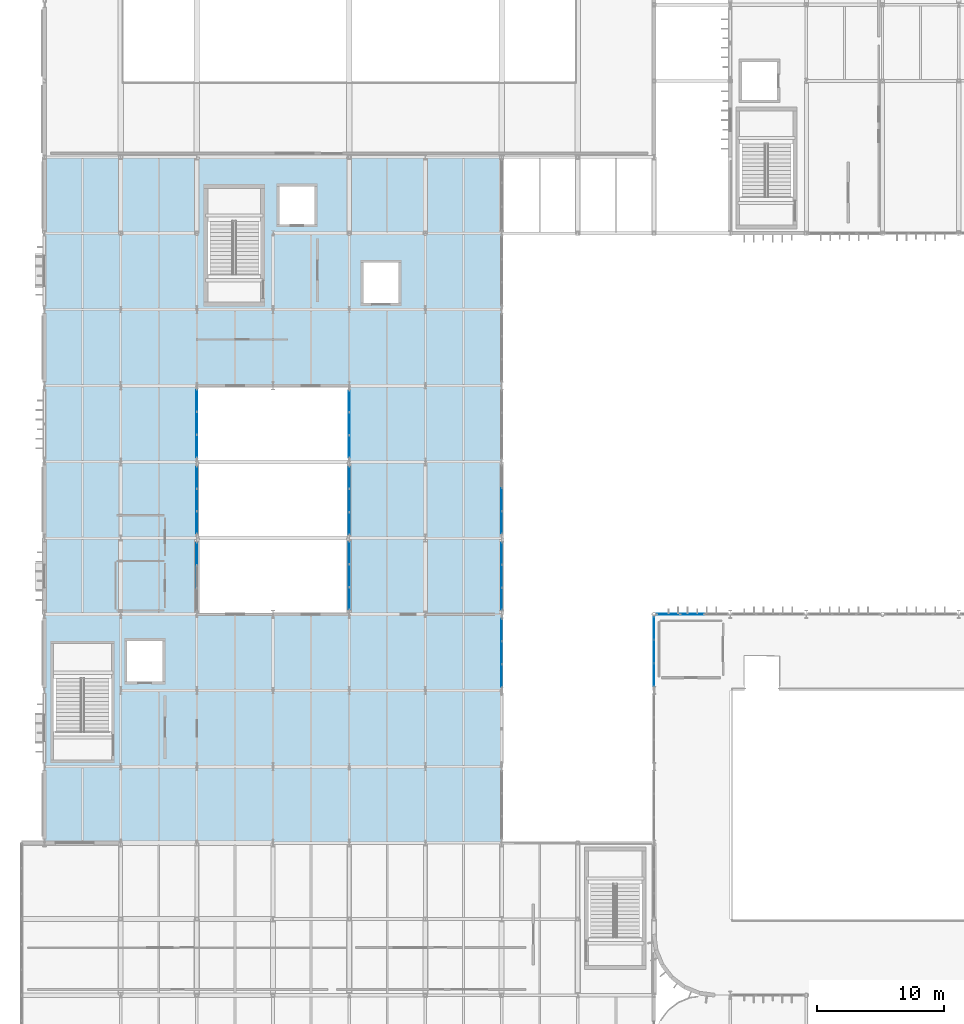
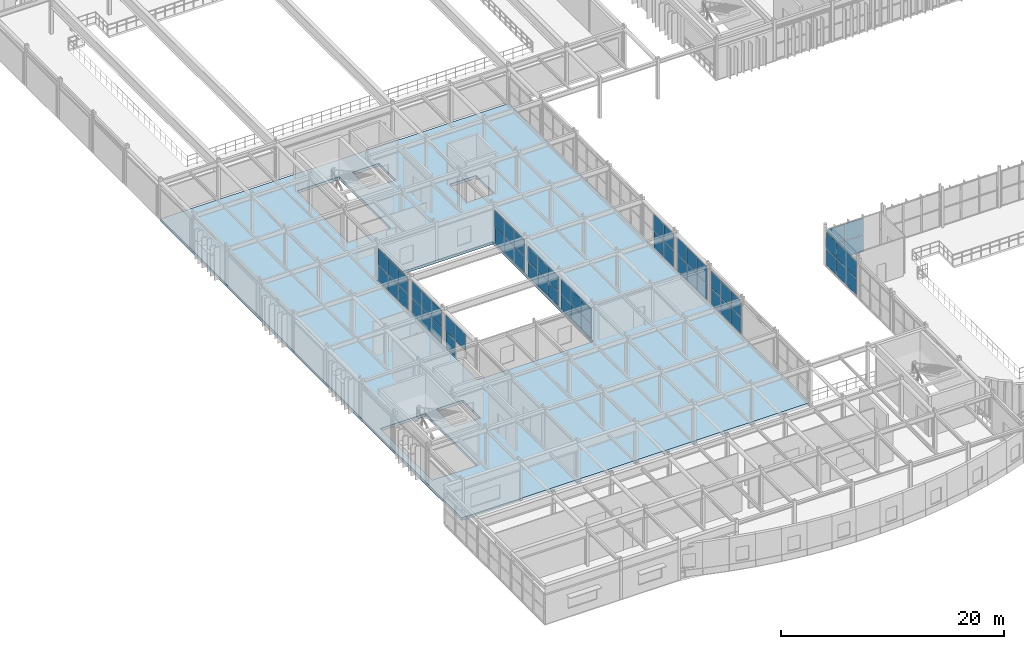
# One storey, part 56 of 96: 59 plates, 1 slab, 11 elements without a shape of their own.
"""IFC4 building model written with IfcOpenShell, lengths in metres."""

import ifcopenshell
import ifcopenshell.guid

model = None  # the IFC model being written
_history = None  # IfcOwnerHistory: only IFC2X3 demands one
_inside = {}  # id of a spatial element -> (the spatial element, [elements in it])
_under = {}  # id of a project, library or spatial element -> (it, [spatial elements below it])
_declared = {}  # id of a project -> (the project, [libraries it declares])
_typed = {}  # id of a type object -> (the type object, [elements of that type])
_made_of = {}  # id of a material, layer set ... -> (it, [elements and type objects made of it])


def new_model(schema):
    """Start an empty IFC model of exactly this schema.

    Asked for "IFC4X3", IfcOpenShell would pick the latest addendum, in which some entities
    have other attributes; the version numbers below select the first issue.
    IFC2X3 requires an IfcOwnerHistory on every rooted entity: one is made here for all.
    """
    global model, _history
    if schema == "IFC4X3":
        model = ifcopenshell.file(schema_version=(4, 3, 0, 0))
    else:
        model = ifcopenshell.file(schema=schema)
    _inside.clear()
    _under.clear()
    _declared.clear()
    _typed.clear()
    _made_of.clear()
    _history = None
    if model.schema == "IFC2X3":
        org = make("IfcOrganization", Name="unknown")
        user = make(
            "IfcPersonAndOrganization",
            ThePerson=make("IfcPerson", FamilyName="unknown"),
            TheOrganization=org,
        )
        app = make(
            "IfcApplication",
            ApplicationDeveloper=org,
            Version="unknown",
            ApplicationFullName="unknown",
            ApplicationIdentifier="unknown",
        )
        _history = make(
            "IfcOwnerHistory",
            OwningUser=user,
            OwningApplication=app,
            ChangeAction="ADDED",
            CreationDate=0,
        )
    return model


def make(cls, **values):
    """One entity of the class cls with the attributes given. An attribute that is None is left unset."""
    return model.create_entity(
        cls, **{name: value for name, value in values.items() if value is not None}
    )


def rooted(cls, **values):
    """An entity with a GlobalId (a new one), such as an element, a storey or a relation."""
    return make(cls, GlobalId=ifcopenshell.guid.new(), OwnerHistory=_history, **values)


def si_unit(unit_type, name, prefix=None):
    """IfcSIUnit, for example si_unit("LENGTHUNIT", "METRE", prefix="MILLI")."""
    return make("IfcSIUnit", UnitType=unit_type, Prefix=prefix, Name=name)


def assignment(units):
    """IfcUnitAssignment: the units of a project."""
    return None if units is None else make("IfcUnitAssignment", Units=units)


def point(xyz):
    """IfcCartesianPoint."""
    return None if xyz is None else make("IfcCartesianPoint", Coordinates=xyz)


def direction(xyz):
    """IfcDirection."""
    return None if xyz is None else make("IfcDirection", DirectionRatios=xyz)


def frame(location, z_axis=None, x_axis=None):
    """IfcAxis2Placement3D, a coordinate frame: its origin and axes. An axis left out is left unset."""
    return make(
        "IfcAxis2Placement3D",
        Location=point(location),
        Axis=direction(z_axis),
        RefDirection=direction(x_axis),
    )


def frame_2d(location, x_axis=None):
    """IfcAxis2Placement2D, a coordinate frame in the plane: its origin and x axis."""
    return make(
        "IfcAxis2Placement2D", Location=point(location), RefDirection=direction(x_axis)
    )


def origin():
    """The frame at (0, 0, 0) with its axes left unset."""
    return frame((0.0, 0.0, 0.0))


def origin_2d():
    """The frame at (0, 0) in the plane with its x axis left unset."""
    return frame_2d((0.0, 0.0))


def place(relative_to, where):
    """IfcLocalPlacement: puts the frame where relative to a parent placement (None: the world)."""
    return make(
        "IfcLocalPlacement", PlacementRelTo=relative_to, RelativePlacement=where
    )


def context(
    kind, dimensions, precision=None, world=None, true_north=None, identifier=None
):
    """IfcGeometricRepresentationContext, for example the 3D "Model" context."""
    return make(
        "IfcGeometricRepresentationContext",
        ContextIdentifier=identifier,
        ContextType=kind,
        CoordinateSpaceDimension=dimensions,
        Precision=precision,
        WorldCoordinateSystem=world,
        TrueNorth=true_north,
    )


def subcontext(parent, identifier, kind, view, scale=None):
    """IfcGeometricRepresentationSubContext, for example "Body" below "Model"."""
    return make(
        "IfcGeometricRepresentationSubContext",
        ContextIdentifier=identifier,
        ContextType=kind,
        ParentContext=parent,
        TargetScale=scale,
        TargetView=view,
    )


def project(units=None, contexts=None):
    """IfcProject with its units and contexts."""
    return rooted(
        "IfcProject",
        Name="project",
        RepresentationContexts=contexts,
        UnitsInContext=assignment(units),
    )


def spatial(cls, under=None, at=None, **own):
    """A site, building, storey or space (cls), placed at a placement, below another one or the project."""
    s = rooted(cls, ObjectPlacement=at, **own)
    if under is not None:
        _under.setdefault(under.id(), (under, []))[1].append(s)
    return s


def polyline(points):
    """IfcPolyline through the points."""
    return make("IfcPolyline", Points=[point(p) for p in points])


def profile(cls, at=None, kind="AREA", **sizes):
    """A parametric profile (cls). Its sizes go by their IFC names, for example OverallWidth=200.0."""
    return make(cls, ProfileType=kind, Position=at, **sizes)


def rectangle(**sizes):
    """IfcRectangleProfileDef."""
    return profile("IfcRectangleProfileDef", **sizes)


def outline(outer, holes=None, kind="AREA"):
    """IfcArbitraryClosedProfileDef: a profile drawn as a closed curve; with holes, ...WithVoids."""
    if holes is None:
        return make("IfcArbitraryClosedProfileDef", ProfileType=kind, OuterCurve=outer)
    return make(
        "IfcArbitraryProfileDefWithVoids",
        ProfileType=kind,
        OuterCurve=outer,
        InnerCurves=holes,
    )


def extrude(swept, where, along, depth):
    """IfcExtrudedAreaSolid: the profile swept, set in the frame where, extruded along a direction by depth."""
    return make(
        "IfcExtrudedAreaSolid",
        SweptArea=swept,
        Position=where,
        ExtrudedDirection=direction(along),
        Depth=depth,
    )


def shape(context_of_items, identifier, shape_type, items):
    """IfcShapeRepresentation: the items that make up one representation, for example the "Body"."""
    return make(
        "IfcShapeRepresentation",
        ContextOfItems=context_of_items,
        RepresentationIdentifier=identifier,
        RepresentationType=shape_type,
        Items=items,
    )


def material(Name=None, Category=None):
    """IfcMaterial."""
    return make("IfcMaterial", Name=Name, Category=Category)


def layer(
    of_material, thickness, ventilated=None, Name=None, Category=None, Priority=None
):
    """IfcMaterialLayer: one layer of a wall or slab, of a material (None: an air gap)."""
    return make(
        "IfcMaterialLayer",
        Material=of_material,
        LayerThickness=thickness,
        IsVentilated=ventilated,
        Name=Name,
        Category=Category,
        Priority=Priority,
    )


def layer_set(layers, Name=None):
    """IfcMaterialLayerSet."""
    return make("IfcMaterialLayerSet", MaterialLayers=layers, LayerSetName=Name)


def made_of(thing, what):
    """Note that an element or type object is made of a material, layer set ...; save() writes the relation."""
    if what is not None:
        _made_of.setdefault(what.id(), (what, []))[1].append(thing)
    return thing


def type_object(cls, material=None, **own):
    """A type object (cls), such as IfcWallType, which elements share."""
    return made_of(rooted(cls, **own), material)


def element(
    cls,
    number,
    at=None,
    inside=None,
    cuts=None,
    type_object=None,
    material=None,
    context=None,
    identifier="Body",
    shape_type=None,
    held_by="IfcProductDefinitionShape",
    body=None,
    shapes=None,
    **own,
):
    """One element of the class cls, such as IfcWall. Its Tag is "e" and its number.

    at: its placement. inside: the storey or other place that contains it. cuts: it is an
    opening in that element (IfcRelVoidsElement). A single representation is given by context,
    identifier, shape_type and body (its items); several are given by shapes. held_by: the class
    of the entity that holds the representations. save() writes the other relations.
    """
    e = rooted(cls, Tag="e%d" % number, ObjectPlacement=at, **own)
    if body is not None:
        shapes = [shape(context, identifier, shape_type, body)]
    if shapes is not None:
        e.Representation = make(held_by, Representations=shapes)
    if inside is not None:
        _inside.setdefault(inside.id(), (inside, []))[1].append(e)
    if cuts is not None:
        rooted(
            "IfcRelVoidsElement", RelatingBuildingElement=cuts, RelatedOpeningElement=e
        )
    if type_object is not None:
        _typed.setdefault(type_object.id(), (type_object, []))[1].append(e)
    return made_of(e, material)


def aggregate(whole, parts):
    """IfcRelAggregates: a whole, such as a stair, and the parts it consists of."""
    return rooted("IfcRelAggregates", RelatingObject=whole, RelatedObjects=parts)


def save(model, path):
    """Write the relations noted so far, then the file.

    IfcRelAggregates (storeys below a building ...), IfcRelContainedInSpatialStructure (elements
    in a storey), IfcRelDefinesByType, IfcRelAssociatesMaterial and IfcRelDeclares: one each for
    every whole, place, type object, material and project.
    """
    for whole, parts in _under.values():
        aggregate(whole, parts)
    for where, things in _inside.values():
        rooted(
            "IfcRelContainedInSpatialStructure",
            RelatedElements=things,
            RelatingStructure=where,
        )
    for kind, things in _typed.values():
        rooted("IfcRelDefinesByType", RelatedObjects=things, RelatingType=kind)
    for what, things in _made_of.values():
        rooted("IfcRelAssociatesMaterial", RelatedObjects=things, RelatingMaterial=what)
    for by, libraries in _declared.values():
        rooted("IfcRelDeclares", RelatingContext=by, RelatedDefinitions=libraries)
    model.write(path)


model = new_model("IFC4")

# Units and contexts
model_context = context("Model", 3, precision=1e-05, world=origin(), true_north=direction((0.0, 1.0)))
body_context = subcontext(model_context, "Body", "Model", "MODEL_VIEW")
ifc_project = project(units=[si_unit("LENGTHUNIT", "METRE"), si_unit("AREAUNIT", "SQUARE_METRE"), si_unit("VOLUMEUNIT", "CUBIC_METRE"), si_unit("PLANEANGLEUNIT", "RADIAN"), si_unit("MASSUNIT", "GRAM", prefix="KILO")], contexts=[model_context])

# Site, building, storey
site_placement = place(None, origin())
site = spatial("IfcSite", under=ifc_project, at=site_placement, CompositionType="ELEMENT")
building_placement = place(site_placement, origin())
building = spatial("IfcBuilding", under=site, at=building_placement, Name="Varnakota Square Police Headquarters", CompositionType="ELEMENT")
storey_placement = place(building_placement, frame((0.0, 0.0, 4.800048828125)))
storey = spatial("IfcBuildingStorey", under=building, at=storey_placement, Name="L01", CompositionType="ELEMENT", Elevation=4.800048828125)

# Curtain wall, plates
ifc_material_1 = material(Name="Anodised Aluminium Framing", Category="aluminium")
curtain_wall_type_1 = type_object("IfcCurtainWallType", Name="CW-SYS-D", PredefinedType="NOTDEFINED", material=ifc_material_1)
curtain_wall_1_placement = place(storey_placement, origin())
curtain_wall_1 = element("IfcCurtainWall", 1, at=curtain_wall_1_placement, inside=storey, type_object=curtain_wall_type_1, Name="Unitised curtain wall CWG-L01-143", PredefinedType="NOTDEFINED")
ifc_material_2 = material(Name="Solar-Control Laminated Double Glazing", Category="glass")
ifc_layer_1 = layer(ifc_material_2, 0.028076171875, Name="Solar-Control Laminated Double Glazing")
ifc_layer_set_1 = layer_set([ifc_layer_1], Name="Solar-Control Laminated Double Glazing")
plate_type_1 = type_object("IfcPlateType", Name="CWP-GLZ-28", PredefinedType="CURTAIN_PANEL", material=ifc_layer_set_1)
plate_1_placement = place(storey_placement, frame((42.0, 46.232177734375, 0.06494140625), z_axis=(0.0, 0.0, 1.0), x_axis=(0.0, 1.0, 0.0)))
plate_1 = element("IfcPlate", 2, at=plate_1_placement, type_object=plate_type_1, Name="CWG-L01-143 panel 1.1", PredefinedType="CURTAIN_PANEL", context=body_context, shape_type="SweptSolid", body=[
    extrude(rectangle(XDim=1.72412109375, YDim=0.028076171875, at=origin_2d()), origin(), (0.0, 0.0, 1.0), 1.794189453125),
])
plate_2_placement = place(storey_placement, frame((42.0, 48.03759765625, 0.06494140625), z_axis=(0.0, 0.0, 1.0), x_axis=(0.0, 1.0, 0.0)))
plate_2 = element("IfcPlate", 3, at=plate_2_placement, type_object=plate_type_1, Name="CWG-L01-143 panel 2.1", PredefinedType="CURTAIN_PANEL", context=body_context, shape_type="SweptSolid", body=[
    extrude(rectangle(XDim=1.756591796875, YDim=0.028076171875, at=origin_2d()), origin(), (0.0, 0.0, 1.0), 1.794189453125),
])

curtain_wall_type_2 = type_object("IfcCurtainWallType", Name="CW-SYS-F", PredefinedType="NOTDEFINED", material=ifc_material_1)
curtain_wall_2_placement = place(storey_placement, origin())
curtain_wall_2 = element("IfcCurtainWall", 4, at=curtain_wall_2_placement, inside=storey, type_object=curtain_wall_type_2, Name="Unitised curtain wall CWG-L01-151", PredefinedType="NOTDEFINED")
plate_3_placement = place(storey_placement, frame((30.0, 46.156982421875, 0.06494140625), z_axis=(0.0, 0.0, 1.0), x_axis=(0.0, 1.0, 0.0)))
plate_3 = element("IfcPlate", 5, at=plate_3_placement, type_object=plate_type_1, Name="CWG-L01-151 panel 1.1", PredefinedType="CURTAIN_PANEL", context=body_context, shape_type="SweptSolid", body=[
    extrude(rectangle(XDim=1.72412109375, YDim=0.028076171875, at=origin_2d()), origin(), (0.0, 0.0, 1.0), 1.597412109375),
])
plate_4_placement = place(storey_placement, frame((30.0, 47.96240234375, 0.06494140625), z_axis=(0.0, 0.0, 1.0), x_axis=(0.0, 1.0, 0.0)))
plate_4 = element("IfcPlate", 6, at=plate_4_placement, type_object=plate_type_1, Name="CWG-L01-151 panel 2.1", PredefinedType="CURTAIN_PANEL", context=body_context, shape_type="SweptSolid", body=[
    extrude(rectangle(XDim=1.756591796875, YDim=0.028076171875, at=origin_2d()), origin(), (0.0, 0.0, 1.0), 1.597412109375),
])
plate_5_placement = place(storey_placement, frame((30.0, 49.767822265625, 0.06494140625), z_axis=(0.0, 0.0, 1.0), x_axis=(0.0, 1.0, 0.0)))
plate_5 = element("IfcPlate", 7, at=plate_5_placement, type_object=plate_type_1, Name="CWG-L01-151 panel 3.1", PredefinedType="CURTAIN_PANEL", context=body_context, shape_type="SweptSolid", body=[
    extrude(rectangle(XDim=1.72412109375, YDim=0.028076171875, at=origin_2d()), origin(), (0.0, 0.0, 1.0), 1.597412109375),
])

# Curtain wall, plate
curtain_wall_3_placement = place(storey_placement, origin())
curtain_wall_3 = element("IfcCurtainWall", 8, at=curtain_wall_3_placement, inside=storey, type_object=curtain_wall_type_2, Name="Unitised curtain wall CWG-L01-148", PredefinedType="NOTDEFINED")
ifc_material_3 = material(Name="Acoustic Laminated Double Glazing", Category="glass")
ifc_layer_2 = layer(ifc_material_3, 0.031982421875, Name="Acoustic Laminated Double Glazing")
ifc_layer_set_2 = layer_set([ifc_layer_2], Name="Acoustic Laminated Double Glazing")
plate_type_2 = type_object("IfcPlateType", Name="CWP-GLZ-32", PredefinedType="CURTAIN_PANEL", material=ifc_layer_set_2)
plate_6_placement = place(storey_placement, frame((18.0, 43.767822265625, 0.06494140625), z_axis=(0.0, 0.0, 1.0), x_axis=(0.0, 1.0, 0.0)))
plate_6 = element("IfcPlate", 9, at=plate_6_placement, type_object=plate_type_2, Name="CWG-L01-148 panel 3.1", PredefinedType="CURTAIN_PANEL", context=body_context, shape_type="SweptSolid", body=[
    extrude(rectangle(XDim=1.72412109375, YDim=0.031982421875, at=origin_2d()), origin(), (0.0, 0.0, 1.0), 1.794189453125),
])

# Curtain wall, plates
curtain_wall_4_placement = place(storey_placement, origin())
curtain_wall_4 = element("IfcCurtainWall", 10, at=curtain_wall_4_placement, inside=storey, type_object=curtain_wall_type_2, Name="Unitised curtain wall CWG-L01-152", PredefinedType="NOTDEFINED")
plate_7_placement = place(storey_placement, frame((18.0, 52.232177734375, 0.06494140625), z_axis=(0.0, 0.0, 1.0), x_axis=(0.0, 1.0, 0.0)))
plate_7 = element("IfcPlate", 11, at=plate_7_placement, type_object=plate_type_2, Name="CWG-L01-152 panel 1.1", PredefinedType="CURTAIN_PANEL", context=body_context, shape_type="SweptSolid", body=[
    extrude(rectangle(XDim=1.72412109375, YDim=0.031982421875, at=origin_2d()), origin(), (0.0, 0.0, 1.0), 1.74755859375),
])
plate_8_placement = place(storey_placement, frame((18.0, 54.03759765625, 0.06494140625), z_axis=(0.0, 0.0, 1.0), x_axis=(0.0, 1.0, 0.0)))
plate_8 = element("IfcPlate", 12, at=plate_8_placement, type_object=plate_type_2, Name="CWG-L01-152 panel 2.1", PredefinedType="CURTAIN_PANEL", context=body_context, shape_type="SweptSolid", body=[
    extrude(rectangle(XDim=1.756591796875, YDim=0.031982421875, at=origin_2d()), origin(), (0.0, 0.0, 1.0), 1.74755859375),
])
plate_9_placement = place(storey_placement, frame((18.0, 55.843017578125, 0.06494140625), z_axis=(0.0, 0.0, 1.0), x_axis=(0.0, 1.0, 0.0)))
plate_9 = element("IfcPlate", 13, at=plate_9_placement, type_object=plate_type_2, Name="CWG-L01-152 panel 3.1", PredefinedType="CURTAIN_PANEL", context=body_context, shape_type="SweptSolid", body=[
    extrude(rectangle(XDim=1.72412109375, YDim=0.031982421875, at=origin_2d()), origin(), (0.0, 0.0, 1.0), 1.74755859375),
])

curtain_wall_type_3 = type_object("IfcCurtainWallType", Name="CW-SYS-B", PredefinedType="NOTDEFINED", material=ifc_material_1)
curtain_wall_5_placement = place(storey_placement, origin())
curtain_wall_5 = element("IfcCurtainWall", 14, at=curtain_wall_5_placement, inside=storey, type_object=curtain_wall_type_3, Name="Unitised curtain wall CWG-L01-021", PredefinedType="NOTDEFINED")
ifc_material_4 = material(Name="Blast-Resistant Laminated Glazing", Category="glass")
ifc_layer_3 = layer(ifc_material_4, 0.035888671875, Name="Blast-Resistant Laminated Glazing")
ifc_layer_set_3 = layer_set([ifc_layer_3], Name="Blast-Resistant Laminated Glazing")
plate_type_3 = type_object("IfcPlateType", Name="CWP-GLZ-36", PredefinedType="CURTAIN_PANEL", material=ifc_layer_set_3)
plate_10_placement = place(storey_placement, frame((55.133544921875, 39.0, 0.06494140625), z_axis=(0.0, 0.0, 1.0), x_axis=(1.0, 0.0, 0.0)))
plate_10 = element("IfcPlate", 15, at=plate_10_placement, type_object=plate_type_3, Name="CWG-L01-021 panel 1.1", PredefinedType="CURTAIN_PANEL", context=body_context, shape_type="SweptSolid", body=[
    extrude(rectangle(XDim=1.803466796875, YDim=0.035888671875, at=origin_2d()), origin(), (0.0, 0.0, 1.0), 1.797607421875),
])
plate_11_placement = place(storey_placement, frame((57.0185546875, 39.0, 0.06494140625), z_axis=(0.0, 0.0, 1.0), x_axis=(1.0, 0.0, 0.0)))
plate_11 = element("IfcPlate", 16, at=plate_11_placement, type_object=plate_type_3, Name="CWG-L01-021 panel 2.1", PredefinedType="CURTAIN_PANEL", context=body_context, shape_type="SweptSolid", body=[
    extrude(rectangle(XDim=1.8359375, YDim=0.035888671875, at=origin_2d()), origin(), (0.0, 0.0, 1.0), 1.797607421875),
])

curtain_wall_6_placement = place(storey_placement, origin())
curtain_wall_6 = element("IfcCurtainWall", 17, at=curtain_wall_6_placement, inside=storey, type_object=curtain_wall_type_3, Name="Unitised curtain wall CWG-L01-033", PredefinedType="NOTDEFINED")
plate_12_placement = place(storey_placement, frame((54.0, 34.24267578125, 0.06494140625), z_axis=(0.0, 0.0, 1.0), x_axis=(0.0, 1.0, 0.0)))
plate_12 = element("IfcPlate", 18, at=plate_12_placement, type_object=plate_type_3, Name="CWG-L01-033 panel 1.1", PredefinedType="CURTAIN_PANEL", context=body_context, shape_type="SweptSolid", body=[
    extrude(rectangle(XDim=1.7451171875, YDim=0.035888671875, at=origin_2d()), origin(), (0.0, 0.0, 1.0), 1.797607421875),
])
plate_13_placement = place(storey_placement, frame((54.0, 36.069091796875, 0.06494140625), z_axis=(0.0, 0.0, 1.0), x_axis=(0.0, 1.0, 0.0)))
plate_13 = element("IfcPlate", 19, at=plate_13_placement, type_object=plate_type_3, Name="CWG-L01-033 panel 2.1", PredefinedType="CURTAIN_PANEL", context=body_context, shape_type="SweptSolid", body=[
    extrude(rectangle(XDim=1.777587890625, YDim=0.035888671875, at=origin_2d()), origin(), (0.0, 0.0, 1.0), 1.797607421875),
])
plate_14_placement = place(storey_placement, frame((54.0, 37.8955078125, 0.06494140625), z_axis=(0.0, 0.0, 1.0), x_axis=(0.0, 1.0, 0.0)))
plate_14 = element("IfcPlate", 20, at=plate_14_placement, type_object=plate_type_3, Name="CWG-L01-033 panel 3.1", PredefinedType="CURTAIN_PANEL", context=body_context, shape_type="SweptSolid", body=[
    extrude(rectangle(XDim=1.7451171875, YDim=0.035888671875, at=origin_2d()), origin(), (0.0, 0.0, 1.0), 1.797607421875),
])

curtain_wall_7_placement = place(storey_placement, origin())
curtain_wall_7 = element("IfcCurtainWall", 21, at=curtain_wall_7_placement, inside=storey, type_object=curtain_wall_type_1, Name="Unitised curtain wall CWG-L01-141", PredefinedType="NOTDEFINED")
plate_15_placement = place(storey_placement, frame((42.0, 34.156982421875, 0.06494140625), z_axis=(0.0, 0.0, 1.0), x_axis=(0.0, 1.0, 0.0)))
plate_15 = element("IfcPlate", 22, at=plate_15_placement, type_object=plate_type_3, Name="CWG-L01-141 panel 1.1", PredefinedType="CURTAIN_PANEL", context=body_context, shape_type="SweptSolid", body=[
    extrude(rectangle(XDim=1.72412109375, YDim=0.035888671875, at=origin_2d()), origin(), (0.0, 0.0, 1.0), 1.794189453125),
])
plate_16_placement = place(storey_placement, frame((42.0, 35.96240234375, 0.06494140625), z_axis=(0.0, 0.0, 1.0), x_axis=(0.0, 1.0, 0.0)))
plate_16 = element("IfcPlate", 23, at=plate_16_placement, type_object=plate_type_3, Name="CWG-L01-141 panel 2.1", PredefinedType="CURTAIN_PANEL", context=body_context, shape_type="SweptSolid", body=[
    extrude(rectangle(XDim=1.756591796875, YDim=0.035888671875, at=origin_2d()), origin(), (0.0, 0.0, 1.0), 1.794189453125),
])
plate_17_placement = place(storey_placement, frame((42.0, 37.767822265625, 0.06494140625), z_axis=(0.0, 0.0, 1.0), x_axis=(0.0, 1.0, 0.0)))
plate_17 = element("IfcPlate", 24, at=plate_17_placement, type_object=plate_type_3, Name="CWG-L01-141 panel 3.1", PredefinedType="CURTAIN_PANEL", context=body_context, shape_type="SweptSolid", body=[
    extrude(rectangle(XDim=1.72412109375, YDim=0.035888671875, at=origin_2d()), origin(), (0.0, 0.0, 1.0), 1.794189453125),
])

curtain_wall_8_placement = place(storey_placement, origin())
curtain_wall_8 = element("IfcCurtainWall", 25, at=curtain_wall_8_placement, inside=storey, type_object=curtain_wall_type_2, Name="Unitised curtain wall CWG-L01-149", PredefinedType="NOTDEFINED")
plate_18_placement = place(storey_placement, frame((30.0, 40.232177734375, 0.06494140625), z_axis=(0.0, 0.0, 1.0), x_axis=(0.0, 1.0, 0.0)))
plate_18 = element("IfcPlate", 26, at=plate_18_placement, type_object=plate_type_3, Name="CWG-L01-149 panel 1.1", PredefinedType="CURTAIN_PANEL", context=body_context, shape_type="SweptSolid", body=[
    extrude(rectangle(XDim=1.72412109375, YDim=0.035888671875, at=origin_2d()), origin(), (0.0, 0.0, 1.0), 1.597412109375),
])
plate_19_placement = place(storey_placement, frame((30.0, 42.03759765625, 0.06494140625), z_axis=(0.0, 0.0, 1.0), x_axis=(0.0, 1.0, 0.0)))
plate_19 = element("IfcPlate", 27, at=plate_19_placement, type_object=plate_type_3, Name="CWG-L01-149 panel 2.1", PredefinedType="CURTAIN_PANEL", context=body_context, shape_type="SweptSolid", body=[
    extrude(rectangle(XDim=1.756591796875, YDim=0.035888671875, at=origin_2d()), origin(), (0.0, 0.0, 1.0), 1.597412109375),
])
plate_20_placement = place(storey_placement, frame((30.0, 43.843017578125, 0.06494140625), z_axis=(0.0, 0.0, 1.0), x_axis=(0.0, 1.0, 0.0)))
plate_20 = element("IfcPlate", 28, at=plate_20_placement, type_object=plate_type_3, Name="CWG-L01-149 panel 3.1", PredefinedType="CURTAIN_PANEL", context=body_context, shape_type="SweptSolid", body=[
    extrude(rectangle(XDim=1.72412109375, YDim=0.035888671875, at=origin_2d()), origin(), (0.0, 0.0, 1.0), 1.597412109375),
])

curtain_wall_9_placement = place(storey_placement, origin())
curtain_wall_9 = element("IfcCurtainWall", 29, at=curtain_wall_9_placement, inside=storey, type_object=curtain_wall_type_2, Name="Unitised curtain wall CWG-L01-153", PredefinedType="NOTDEFINED")
plate_21_placement = place(storey_placement, frame((30.0, 52.219482421875, 0.06494140625), z_axis=(0.0, 0.0, 1.0), x_axis=(0.0, 1.0, 0.0)))
plate_21 = element("IfcPlate", 30, at=plate_21_placement, type_object=plate_type_3, Name="CWG-L01-153 panel 1.1", PredefinedType="CURTAIN_PANEL", context=body_context, shape_type="SweptSolid", body=[
    extrude(rectangle(XDim=1.69921875, YDim=0.035888671875, at=origin_2d()), origin(), (0.0, 0.0, 1.0), 1.74755859375),
])
plate_22_placement = place(storey_placement, frame((30.0, 54.0, 0.06494140625), z_axis=(0.0, 0.0, 1.0), x_axis=(0.0, 1.0, 0.0)))
plate_22 = element("IfcPlate", 31, at=plate_22_placement, type_object=plate_type_3, Name="CWG-L01-153 panel 2.1", PredefinedType="CURTAIN_PANEL", context=body_context, shape_type="SweptSolid", body=[
    extrude(rectangle(XDim=1.731689453125, YDim=0.035888671875, at=origin_2d()), origin(), (0.0, 0.0, 1.0), 1.74755859375),
])
plate_23_placement = place(storey_placement, frame((30.0, 55.780517578125, 0.06494140625), z_axis=(0.0, 0.0, 1.0), x_axis=(0.0, 1.0, 0.0)))
plate_23 = element("IfcPlate", 32, at=plate_23_placement, type_object=plate_type_3, Name="CWG-L01-153 panel 3.1", PredefinedType="CURTAIN_PANEL", context=body_context, shape_type="SweptSolid", body=[
    extrude(rectangle(XDim=1.69921875, YDim=0.035888671875, at=origin_2d()), origin(), (0.0, 0.0, 1.0), 1.74755859375),
])

curtain_wall_10_placement = place(storey_placement, origin())
curtain_wall_10 = element("IfcCurtainWall", 33, at=curtain_wall_10_placement, inside=storey, type_object=curtain_wall_type_1, Name="Unitised curtain wall CWG-L01-142", PredefinedType="NOTDEFINED")
ifc_material_5 = material(Name="Triple-Glazed Clean-Lab Vision Unit", Category="aluminium")
ifc_layer_4 = layer(ifc_material_5, 0.0419921875, Name="Triple-Glazed Clean-Lab Vision Unit")
ifc_layer_set_4 = layer_set([ifc_layer_4], Name="Triple-Glazed Clean-Lab Vision Unit")
plate_type_4 = type_object("IfcPlateType", Name="CWP-GLZ-42", PredefinedType="CURTAIN_PANEL", material=ifc_layer_set_4)
plate_24_placement = place(storey_placement, frame((42.0, 40.219482421875, 0.06494140625), z_axis=(0.0, 0.0, 1.0), x_axis=(0.0, 1.0, 0.0)))
plate_24 = element("IfcPlate", 34, at=plate_24_placement, type_object=plate_type_4, Name="CWG-L01-142 panel 1.1", PredefinedType="CURTAIN_PANEL", context=body_context, shape_type="SweptSolid", body=[
    extrude(rectangle(XDim=1.69921875, YDim=0.0419921875, at=origin_2d()), origin(), (0.0, 0.0, 1.0), 1.794189453125),
])
plate_25_placement = place(storey_placement, frame((42.0, 42.0, 0.06494140625), z_axis=(0.0, 0.0, 1.0), x_axis=(0.0, 1.0, 0.0)))
plate_25 = element("IfcPlate", 35, at=plate_25_placement, type_object=plate_type_4, Name="CWG-L01-142 panel 2.1", PredefinedType="CURTAIN_PANEL", context=body_context, shape_type="SweptSolid", body=[
    extrude(rectangle(XDim=1.731689453125, YDim=0.0419921875, at=origin_2d()), origin(), (0.0, 0.0, 1.0), 1.794189453125),
])
plate_26_placement = place(storey_placement, frame((42.0, 43.780517578125, 0.06494140625), z_axis=(0.0, 0.0, 1.0), x_axis=(0.0, 1.0, 0.0)))
plate_26 = element("IfcPlate", 36, at=plate_26_placement, type_object=plate_type_4, Name="CWG-L01-142 panel 3.1", PredefinedType="CURTAIN_PANEL", context=body_context, shape_type="SweptSolid", body=[
    extrude(rectangle(XDim=1.69921875, YDim=0.0419921875, at=origin_2d()), origin(), (0.0, 0.0, 1.0), 1.794189453125),
])

curtain_wall_11_placement = place(storey_placement, origin())
curtain_wall_11 = element("IfcCurtainWall", 37, at=curtain_wall_11_placement, inside=storey, type_object=curtain_wall_type_2, Name="Unitised curtain wall CWG-L01-150", PredefinedType="NOTDEFINED")
plate_27_placement = place(storey_placement, frame((18.0, 46.219482421875, 0.06494140625), z_axis=(0.0, 0.0, 1.0), x_axis=(0.0, 1.0, 0.0)))
plate_27 = element("IfcPlate", 38, at=plate_27_placement, type_object=plate_type_4, Name="CWG-L01-150 panel 1.1", PredefinedType="CURTAIN_PANEL", context=body_context, shape_type="SweptSolid", body=[
    extrude(rectangle(XDim=1.69921875, YDim=0.0419921875, at=origin_2d()), origin(), (0.0, 0.0, 1.0), 1.794189453125),
])
plate_28_placement = place(storey_placement, frame((18.0, 48.0, 0.06494140625), z_axis=(0.0, 0.0, 1.0), x_axis=(0.0, 1.0, 0.0)))
plate_28 = element("IfcPlate", 39, at=plate_28_placement, type_object=plate_type_4, Name="CWG-L01-150 panel 2.1", PredefinedType="CURTAIN_PANEL", context=body_context, shape_type="SweptSolid", body=[
    extrude(rectangle(XDim=1.731689453125, YDim=0.0419921875, at=origin_2d()), origin(), (0.0, 0.0, 1.0), 1.794189453125),
])
plate_29_placement = place(storey_placement, frame((18.0, 49.780517578125, 0.06494140625), z_axis=(0.0, 0.0, 1.0), x_axis=(0.0, 1.0, 0.0)))
plate_29 = element("IfcPlate", 40, at=plate_29_placement, type_object=plate_type_4, Name="CWG-L01-150 panel 3.1", PredefinedType="CURTAIN_PANEL", context=body_context, shape_type="SweptSolid", body=[
    extrude(rectangle(XDim=1.69921875, YDim=0.0419921875, at=origin_2d()), origin(), (0.0, 0.0, 1.0), 1.794189453125),
])

# Plate
ifc_material_6 = material(Name="Insulated Anodised Aluminium Spandrel Panel", Category="aluminium")
ifc_layer_5 = layer(ifc_material_6, 0.050048828125, Name="Insulated Anodised Aluminium Spandrel Panel")
ifc_layer_set_5 = layer_set([ifc_layer_5], Name="Insulated Anodised Aluminium Spandrel Panel")
plate_type_5 = type_object("IfcPlateType", Name="CWP-SPN-50", PredefinedType="CURTAIN_PANEL", material=ifc_layer_set_5)
plate_30_placement = place(storey_placement, frame((55.133544921875, 39.0, 1.92724609375), z_axis=(0.0, 0.0, 1.0), x_axis=(1.0, 0.0, 0.0)))
plate_30 = element("IfcPlate", 41, at=plate_30_placement, type_object=plate_type_5, Name="CWG-L01-021 panel 1.2", PredefinedType="CURTAIN_PANEL", context=body_context, shape_type="SweptSolid", body=[
    extrude(rectangle(XDim=1.803466796875, YDim=0.050048828125, at=origin_2d()), origin(), (0.0, 0.0, 1.0), 1.797607421875),
])

plate_31_placement = place(storey_placement, frame((57.0185546875, 39.0, 1.92724609375), z_axis=(0.0, 0.0, 1.0), x_axis=(1.0, 0.0, 0.0)))
plate_31 = element("IfcPlate", 42, at=plate_31_placement, type_object=plate_type_5, Name="CWG-L01-021 panel 2.2", PredefinedType="CURTAIN_PANEL", context=body_context, shape_type="SweptSolid", body=[
    extrude(rectangle(XDim=1.8359375, YDim=0.050048828125, at=origin_2d()), origin(), (0.0, 0.0, 1.0), 1.797607421875),
])

aggregate(curtain_wall_5, [plate_10, plate_30, plate_11, plate_31])

plate_32_placement = place(storey_placement, frame((54.0, 34.24267578125, 1.92724609375), z_axis=(0.0, 0.0, 1.0), x_axis=(0.0, 1.0, 0.0)))
plate_32 = element("IfcPlate", 43, at=plate_32_placement, type_object=plate_type_5, Name="CWG-L01-033 panel 1.2", PredefinedType="CURTAIN_PANEL", context=body_context, shape_type="SweptSolid", body=[
    extrude(rectangle(XDim=1.7451171875, YDim=0.050048828125, at=origin_2d()), origin(), (0.0, 0.0, 1.0), 1.797607421875),
])

plate_33_placement = place(storey_placement, frame((54.0, 36.069091796875, 1.92724609375), z_axis=(0.0, 0.0, 1.0), x_axis=(0.0, 1.0, 0.0)))
plate_33 = element("IfcPlate", 44, at=plate_33_placement, type_object=plate_type_5, Name="CWG-L01-033 panel 2.2", PredefinedType="CURTAIN_PANEL", context=body_context, shape_type="SweptSolid", body=[
    extrude(rectangle(XDim=1.777587890625, YDim=0.050048828125, at=origin_2d()), origin(), (0.0, 0.0, 1.0), 1.797607421875),
])

plate_34_placement = place(storey_placement, frame((54.0, 37.8955078125, 1.92724609375), z_axis=(0.0, 0.0, 1.0), x_axis=(0.0, 1.0, 0.0)))
plate_34 = element("IfcPlate", 45, at=plate_34_placement, type_object=plate_type_5, Name="CWG-L01-033 panel 3.2", PredefinedType="CURTAIN_PANEL", context=body_context, shape_type="SweptSolid", body=[
    extrude(rectangle(XDim=1.7451171875, YDim=0.050048828125, at=origin_2d()), origin(), (0.0, 0.0, 1.0), 1.797607421875),
])

aggregate(curtain_wall_6, [plate_12, plate_32, plate_13, plate_33, plate_14, plate_34])

plate_35_placement = place(storey_placement, frame((42.0, 34.156982421875, 1.92431640625), z_axis=(0.0, 0.0, 1.0), x_axis=(0.0, 1.0, 0.0)))
plate_35 = element("IfcPlate", 46, at=plate_35_placement, type_object=plate_type_5, Name="CWG-L01-141 panel 1.2", PredefinedType="CURTAIN_PANEL", context=body_context, shape_type="SweptSolid", body=[
    extrude(rectangle(XDim=1.72412109375, YDim=0.050048828125, at=origin_2d()), origin(), (0.0, 0.0, 1.0), 1.794189453125),
])

plate_36_placement = place(storey_placement, frame((42.0, 35.96240234375, 1.92431640625), z_axis=(0.0, 0.0, 1.0), x_axis=(0.0, 1.0, 0.0)))
plate_36 = element("IfcPlate", 47, at=plate_36_placement, type_object=plate_type_5, Name="CWG-L01-141 panel 2.2", PredefinedType="CURTAIN_PANEL", context=body_context, shape_type="SweptSolid", body=[
    extrude(rectangle(XDim=1.756591796875, YDim=0.050048828125, at=origin_2d()), origin(), (0.0, 0.0, 1.0), 1.794189453125),
])

plate_37_placement = place(storey_placement, frame((42.0, 37.767822265625, 1.92431640625), z_axis=(0.0, 0.0, 1.0), x_axis=(0.0, 1.0, 0.0)))
plate_37 = element("IfcPlate", 48, at=plate_37_placement, type_object=plate_type_5, Name="CWG-L01-141 panel 3.2", PredefinedType="CURTAIN_PANEL", context=body_context, shape_type="SweptSolid", body=[
    extrude(rectangle(XDim=1.72412109375, YDim=0.050048828125, at=origin_2d()), origin(), (0.0, 0.0, 1.0), 1.794189453125),
])

aggregate(curtain_wall_7, [plate_15, plate_35, plate_16, plate_36, plate_17, plate_37])

plate_38_placement = place(storey_placement, frame((42.0, 46.232177734375, 1.92431640625), z_axis=(0.0, 0.0, 1.0), x_axis=(0.0, 1.0, 0.0)))
plate_38 = element("IfcPlate", 49, at=plate_38_placement, type_object=plate_type_5, Name="CWG-L01-143 panel 1.2", PredefinedType="CURTAIN_PANEL", context=body_context, shape_type="SweptSolid", body=[
    extrude(rectangle(XDim=1.72412109375, YDim=0.050048828125, at=origin_2d()), origin(), (0.0, 0.0, 1.0), 1.794189453125),
])

plate_39_placement = place(storey_placement, frame((42.0, 48.03759765625, 1.92431640625), z_axis=(0.0, 0.0, 1.0), x_axis=(0.0, 1.0, 0.0)))
plate_39 = element("IfcPlate", 50, at=plate_39_placement, type_object=plate_type_5, Name="CWG-L01-143 panel 2.2", PredefinedType="CURTAIN_PANEL", context=body_context, shape_type="SweptSolid", body=[
    extrude(rectangle(XDim=1.756591796875, YDim=0.050048828125, at=origin_2d()), origin(), (0.0, 0.0, 1.0), 1.794189453125),
])

aggregate(curtain_wall_1, [plate_1, plate_38, plate_2, plate_39])

plate_40_placement = place(storey_placement, frame((30.0, 40.232177734375, 1.7275390625), z_axis=(0.0, 0.0, 1.0), x_axis=(0.0, 1.0, 0.0)))
plate_40 = element("IfcPlate", 51, at=plate_40_placement, type_object=plate_type_5, Name="CWG-L01-149 panel 1.2", PredefinedType="CURTAIN_PANEL", context=body_context, shape_type="SweptSolid", body=[
    extrude(rectangle(XDim=1.72412109375, YDim=0.050048828125, at=origin_2d()), origin(), (0.0, 0.0, 1.0), 1.597412109375),
])

plate_41_placement = place(storey_placement, frame((30.0, 42.03759765625, 1.7275390625), z_axis=(0.0, 0.0, 1.0), x_axis=(0.0, 1.0, 0.0)))
plate_41 = element("IfcPlate", 52, at=plate_41_placement, type_object=plate_type_5, Name="CWG-L01-149 panel 2.2", PredefinedType="CURTAIN_PANEL", context=body_context, shape_type="SweptSolid", body=[
    extrude(rectangle(XDim=1.756591796875, YDim=0.050048828125, at=origin_2d()), origin(), (0.0, 0.0, 1.0), 1.597412109375),
])

plate_42_placement = place(storey_placement, frame((30.0, 43.843017578125, 1.7275390625), z_axis=(0.0, 0.0, 1.0), x_axis=(0.0, 1.0, 0.0)))
plate_42 = element("IfcPlate", 53, at=plate_42_placement, type_object=plate_type_5, Name="CWG-L01-149 panel 3.2", PredefinedType="CURTAIN_PANEL", context=body_context, shape_type="SweptSolid", body=[
    extrude(rectangle(XDim=1.72412109375, YDim=0.050048828125, at=origin_2d()), origin(), (0.0, 0.0, 1.0), 1.597412109375),
])

aggregate(curtain_wall_8, [plate_18, plate_40, plate_19, plate_41, plate_20, plate_42])

plate_43_placement = place(storey_placement, frame((30.0, 46.156982421875, 1.7275390625), z_axis=(0.0, 0.0, 1.0), x_axis=(0.0, 1.0, 0.0)))
plate_43 = element("IfcPlate", 54, at=plate_43_placement, type_object=plate_type_5, Name="CWG-L01-151 panel 1.2", PredefinedType="CURTAIN_PANEL", context=body_context, shape_type="SweptSolid", body=[
    extrude(rectangle(XDim=1.72412109375, YDim=0.050048828125, at=origin_2d()), origin(), (0.0, 0.0, 1.0), 1.597412109375),
])

plate_44_placement = place(storey_placement, frame((30.0, 47.96240234375, 1.7275390625), z_axis=(0.0, 0.0, 1.0), x_axis=(0.0, 1.0, 0.0)))
plate_44 = element("IfcPlate", 55, at=plate_44_placement, type_object=plate_type_5, Name="CWG-L01-151 panel 2.2", PredefinedType="CURTAIN_PANEL", context=body_context, shape_type="SweptSolid", body=[
    extrude(rectangle(XDim=1.756591796875, YDim=0.050048828125, at=origin_2d()), origin(), (0.0, 0.0, 1.0), 1.597412109375),
])

plate_45_placement = place(storey_placement, frame((30.0, 49.767822265625, 1.7275390625), z_axis=(0.0, 0.0, 1.0), x_axis=(0.0, 1.0, 0.0)))
plate_45 = element("IfcPlate", 56, at=plate_45_placement, type_object=plate_type_5, Name="CWG-L01-151 panel 3.2", PredefinedType="CURTAIN_PANEL", context=body_context, shape_type="SweptSolid", body=[
    extrude(rectangle(XDim=1.72412109375, YDim=0.050048828125, at=origin_2d()), origin(), (0.0, 0.0, 1.0), 1.597412109375),
])

aggregate(curtain_wall_2, [plate_3, plate_43, plate_4, plate_44, plate_5, plate_45])

plate_46_placement = place(storey_placement, frame((30.0, 52.219482421875, 1.87744140625), z_axis=(0.0, 0.0, 1.0), x_axis=(0.0, 1.0, 0.0)))
plate_46 = element("IfcPlate", 57, at=plate_46_placement, type_object=plate_type_5, Name="CWG-L01-153 panel 1.2", PredefinedType="CURTAIN_PANEL", context=body_context, shape_type="SweptSolid", body=[
    extrude(rectangle(XDim=1.69921875, YDim=0.050048828125, at=origin_2d()), origin(), (0.0, 0.0, 1.0), 1.74755859375),
])

plate_47_placement = place(storey_placement, frame((30.0, 54.0, 1.87744140625), z_axis=(0.0, 0.0, 1.0), x_axis=(0.0, 1.0, 0.0)))
plate_47 = element("IfcPlate", 58, at=plate_47_placement, type_object=plate_type_5, Name="CWG-L01-153 panel 2.2", PredefinedType="CURTAIN_PANEL", context=body_context, shape_type="SweptSolid", body=[
    extrude(rectangle(XDim=1.731689453125, YDim=0.050048828125, at=origin_2d()), origin(), (0.0, 0.0, 1.0), 1.74755859375),
])

plate_48_placement = place(storey_placement, frame((30.0, 55.780517578125, 1.87744140625), z_axis=(0.0, 0.0, 1.0), x_axis=(0.0, 1.0, 0.0)))
plate_48 = element("IfcPlate", 59, at=plate_48_placement, type_object=plate_type_5, Name="CWG-L01-153 panel 3.2", PredefinedType="CURTAIN_PANEL", context=body_context, shape_type="SweptSolid", body=[
    extrude(rectangle(XDim=1.69921875, YDim=0.050048828125, at=origin_2d()), origin(), (0.0, 0.0, 1.0), 1.74755859375),
])

aggregate(curtain_wall_9, [plate_21, plate_46, plate_22, plate_47, plate_23, plate_48])

ifc_material_7 = material(Name="Fire-Stopped Mineral-Wool Spandrel Panel", Category="aluminium")
ifc_layer_6 = layer(ifc_material_7, 0.06005859375, Name="Fire-Stopped Mineral-Wool Spandrel Panel")
ifc_layer_set_6 = layer_set([ifc_layer_6], Name="Fire-Stopped Mineral-Wool Spandrel Panel")
plate_type_6 = type_object("IfcPlateType", Name="CWP-SPN-60", PredefinedType="CURTAIN_PANEL", material=ifc_layer_set_6)
plate_49_placement = place(storey_placement, frame((42.0, 40.219482421875, 1.92431640625), z_axis=(0.0, 0.0, 1.0), x_axis=(0.0, 1.0, 0.0)))
plate_49 = element("IfcPlate", 60, at=plate_49_placement, type_object=plate_type_6, Name="CWG-L01-142 panel 1.2", PredefinedType="CURTAIN_PANEL", context=body_context, shape_type="SweptSolid", body=[
    extrude(rectangle(XDim=1.69921875, YDim=0.06005859375, at=origin_2d()), origin(), (0.0, 0.0, 1.0), 1.794189453125),
])

plate_50_placement = place(storey_placement, frame((42.0, 42.0, 1.92431640625), z_axis=(0.0, 0.0, 1.0), x_axis=(0.0, 1.0, 0.0)))
plate_50 = element("IfcPlate", 61, at=plate_50_placement, type_object=plate_type_6, Name="CWG-L01-142 panel 2.2", PredefinedType="CURTAIN_PANEL", context=body_context, shape_type="SweptSolid", body=[
    extrude(rectangle(XDim=1.731689453125, YDim=0.06005859375, at=origin_2d()), origin(), (0.0, 0.0, 1.0), 1.794189453125),
])

plate_51_placement = place(storey_placement, frame((42.0, 43.780517578125, 1.92431640625), z_axis=(0.0, 0.0, 1.0), x_axis=(0.0, 1.0, 0.0)))
plate_51 = element("IfcPlate", 62, at=plate_51_placement, type_object=plate_type_6, Name="CWG-L01-142 panel 3.2", PredefinedType="CURTAIN_PANEL", context=body_context, shape_type="SweptSolid", body=[
    extrude(rectangle(XDim=1.69921875, YDim=0.06005859375, at=origin_2d()), origin(), (0.0, 0.0, 1.0), 1.794189453125),
])

aggregate(curtain_wall_10, [plate_24, plate_49, plate_25, plate_50, plate_26, plate_51])

plate_52_placement = place(storey_placement, frame((18.0, 41.96240234375, 1.92431640625), z_axis=(0.0, 0.0, 1.0), x_axis=(0.0, 1.0, 0.0)))
plate_52 = element("IfcPlate", 63, at=plate_52_placement, type_object=plate_type_6, Name="CWG-L01-148 panel 2.2", PredefinedType="CURTAIN_PANEL", context=body_context, shape_type="SweptSolid", body=[
    extrude(rectangle(XDim=1.756591796875, YDim=0.06005859375, at=origin_2d()), origin(), (0.0, 0.0, 1.0), 1.794189453125),
])

plate_53_placement = place(storey_placement, frame((18.0, 43.767822265625, 1.92431640625), z_axis=(0.0, 0.0, 1.0), x_axis=(0.0, 1.0, 0.0)))
plate_53 = element("IfcPlate", 64, at=plate_53_placement, type_object=plate_type_6, Name="CWG-L01-148 panel 3.2", PredefinedType="CURTAIN_PANEL", context=body_context, shape_type="SweptSolid", body=[
    extrude(rectangle(XDim=1.72412109375, YDim=0.06005859375, at=origin_2d()), origin(), (0.0, 0.0, 1.0), 1.794189453125),
])

aggregate(curtain_wall_3, [plate_52, plate_6, plate_53])

plate_54_placement = place(storey_placement, frame((18.0, 46.219482421875, 1.92431640625), z_axis=(0.0, 0.0, 1.0), x_axis=(0.0, 1.0, 0.0)))
plate_54 = element("IfcPlate", 65, at=plate_54_placement, type_object=plate_type_6, Name="CWG-L01-150 panel 1.2", PredefinedType="CURTAIN_PANEL", context=body_context, shape_type="SweptSolid", body=[
    extrude(rectangle(XDim=1.69921875, YDim=0.06005859375, at=origin_2d()), origin(), (0.0, 0.0, 1.0), 1.794189453125),
])

plate_55_placement = place(storey_placement, frame((18.0, 48.0, 1.92431640625), z_axis=(0.0, 0.0, 1.0), x_axis=(0.0, 1.0, 0.0)))
plate_55 = element("IfcPlate", 66, at=plate_55_placement, type_object=plate_type_6, Name="CWG-L01-150 panel 2.2", PredefinedType="CURTAIN_PANEL", context=body_context, shape_type="SweptSolid", body=[
    extrude(rectangle(XDim=1.731689453125, YDim=0.06005859375, at=origin_2d()), origin(), (0.0, 0.0, 1.0), 1.794189453125),
])

plate_56_placement = place(storey_placement, frame((18.0, 49.780517578125, 1.92431640625), z_axis=(0.0, 0.0, 1.0), x_axis=(0.0, 1.0, 0.0)))
plate_56 = element("IfcPlate", 67, at=plate_56_placement, type_object=plate_type_6, Name="CWG-L01-150 panel 3.2", PredefinedType="CURTAIN_PANEL", context=body_context, shape_type="SweptSolid", body=[
    extrude(rectangle(XDim=1.69921875, YDim=0.06005859375, at=origin_2d()), origin(), (0.0, 0.0, 1.0), 1.794189453125),
])

aggregate(curtain_wall_11, [plate_27, plate_54, plate_28, plate_55, plate_29, plate_56])

plate_57_placement = place(storey_placement, frame((18.0, 52.232177734375, 1.87744140625), z_axis=(0.0, 0.0, 1.0), x_axis=(0.0, 1.0, 0.0)))
plate_57 = element("IfcPlate", 68, at=plate_57_placement, type_object=plate_type_6, Name="CWG-L01-152 panel 1.2", PredefinedType="CURTAIN_PANEL", context=body_context, shape_type="SweptSolid", body=[
    extrude(rectangle(XDim=1.72412109375, YDim=0.06005859375, at=origin_2d()), origin(), (0.0, 0.0, 1.0), 1.74755859375),
])

plate_58_placement = place(storey_placement, frame((18.0, 54.03759765625, 1.87744140625), z_axis=(0.0, 0.0, 1.0), x_axis=(0.0, 1.0, 0.0)))
plate_58 = element("IfcPlate", 69, at=plate_58_placement, type_object=plate_type_6, Name="CWG-L01-152 panel 2.2", PredefinedType="CURTAIN_PANEL", context=body_context, shape_type="SweptSolid", body=[
    extrude(rectangle(XDim=1.756591796875, YDim=0.06005859375, at=origin_2d()), origin(), (0.0, 0.0, 1.0), 1.74755859375),
])

plate_59_placement = place(storey_placement, frame((18.0, 55.843017578125, 1.87744140625), z_axis=(0.0, 0.0, 1.0), x_axis=(0.0, 1.0, 0.0)))
plate_59 = element("IfcPlate", 70, at=plate_59_placement, type_object=plate_type_6, Name="CWG-L01-152 panel 3.2", PredefinedType="CURTAIN_PANEL", context=body_context, shape_type="SweptSolid", body=[
    extrude(rectangle(XDim=1.72412109375, YDim=0.06005859375, at=origin_2d()), origin(), (0.0, 0.0, 1.0), 1.74755859375),
])

aggregate(curtain_wall_4, [plate_7, plate_57, plate_8, plate_58, plate_9, plate_59])

# Slab
ifc_material_8 = material(Name="Concrete M40", Category="concrete")
ifc_layer_7 = layer(ifc_material_8, 0.300048828125, Name="Concrete M40")
ifc_layer_set_7 = layer_set([ifc_layer_7], Name="Concrete M40")
slab_type = type_object("IfcSlabType", Name="SL-LAB-300", PredefinedType="FLOOR", material=ifc_layer_set_7)
slab_placement = place(storey_placement, frame((0.0, 0.0, -0.300048828125)))
element("IfcSlab", 71, at=slab_placement, inside=storey, type_object=slab_type, Name="L01 Forensic Intake Slab", PredefinedType="FLOOR", context=body_context, shape_type="SweptSolid", body=[
    extrude(outline(polyline([(6.0, 21.0), (42.0, 21.0), (42.0, 75.0), (6.0, 75.0), (6.0, 21.0)]), holes=[polyline([(18.0, 39.0), (30.0, 39.0), (30.0, 57.0), (18.0, 57.0), (18.0, 39.0)]), polyline([(6.655029296875, 27.455078125), (11.344970703125, 27.455078125), (11.344970703125, 36.7451171875), (6.655029296875, 36.7451171875), (6.655029296875, 27.455078125)]), polyline([(12.514892578125, 33.715087890625), (15.284912109375, 33.715087890625), (15.284912109375, 36.885009765625), (12.514892578125, 36.885009765625), (12.514892578125, 33.715087890625)]), polyline([(18.7548828125, 63.455078125), (23.14501953125, 63.455078125), (23.14501953125, 72.64501953125), (18.7548828125, 72.64501953125), (18.7548828125, 63.455078125)]), polyline([(24.514892578125, 69.715087890625), (27.284912109375, 69.715087890625), (27.284912109375, 72.68505859375), (24.514892578125, 72.68505859375), (24.514892578125, 69.715087890625)]), polyline([(31.114990234375, 63.514892578125), (33.885009765625, 63.514892578125), (33.885009765625, 66.68505859375), (31.114990234375, 66.68505859375), (31.114990234375, 63.514892578125)])]), origin(), (0.0, 0.0, 1.0), 0.300048828125),
])

save(model, "model.ifc")
